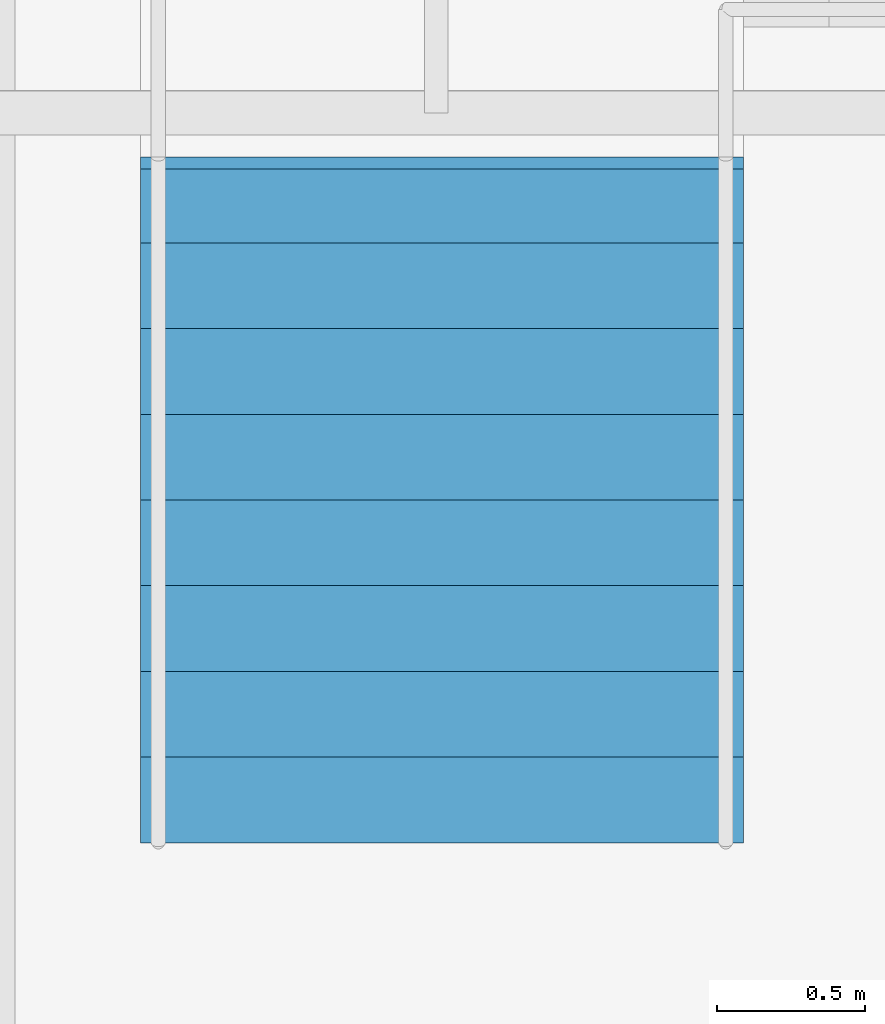
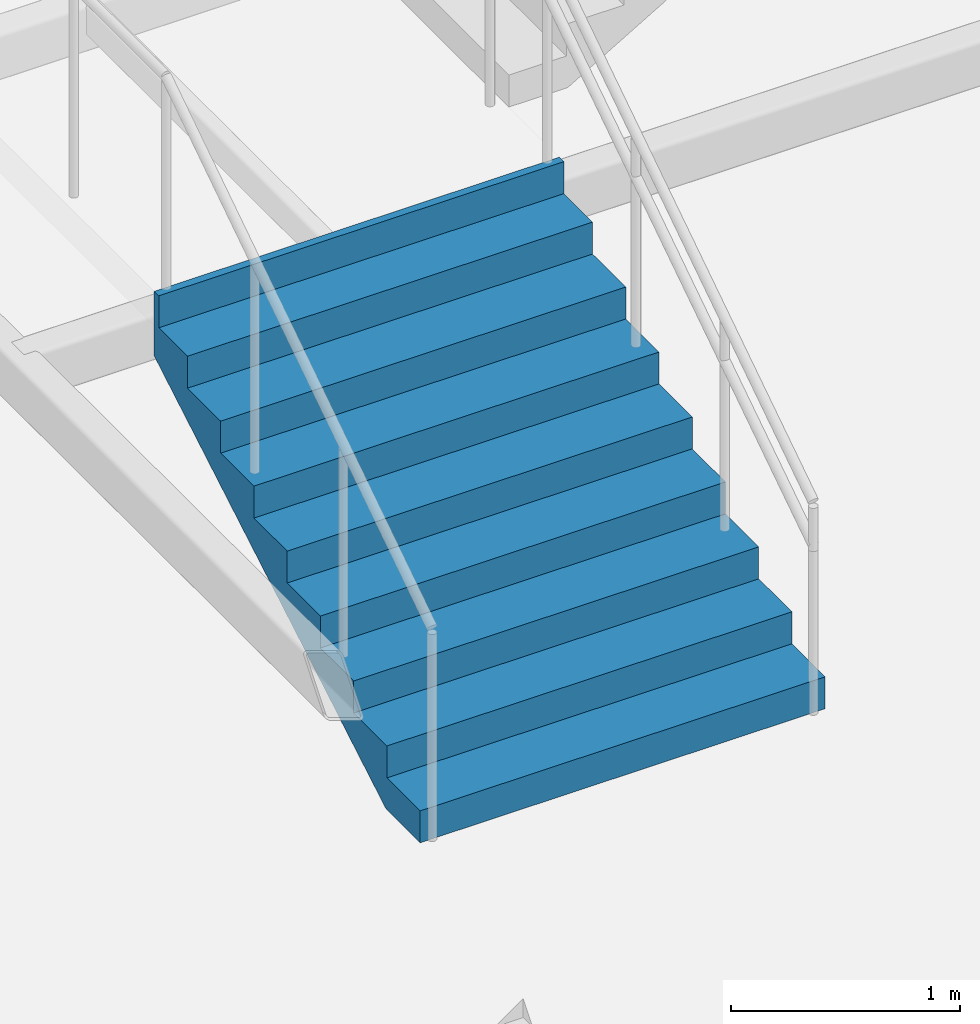
# One storey, part 61 of 69: 1 stair flight, 1 element without a shape of its own.
"""IFC4 building model written with IfcOpenShell, lengths in metres."""

from ifc_helpers import new_model, si_unit, direction, frame, origin, place, context, subcontext, project, spatial, triangles, material, type_object, element, aggregate, save


model = new_model("IFC4")

# Units and contexts
model_context = context("Model", 3, precision=1e-05, world=origin(), true_north=direction((0.0, 1.0)))
body_context = subcontext(model_context, "Body", "Model", "MODEL_VIEW")
ifc_project = project(units=[si_unit("LENGTHUNIT", "METRE"), si_unit("AREAUNIT", "SQUARE_METRE"), si_unit("VOLUMEUNIT", "CUBIC_METRE"), si_unit("PLANEANGLEUNIT", "RADIAN"), si_unit("MASSUNIT", "GRAM", prefix="KILO")], contexts=[model_context])

# Site, building, storey
site_placement = place(None, origin())
site = spatial("IfcSite", under=ifc_project, at=site_placement, CompositionType="ELEMENT")
building_placement = place(site_placement, origin())
building = spatial("IfcBuilding", under=site, at=building_placement, Name="Sillaruma Civic Art Gallery", CompositionType="ELEMENT")
storey_placement = place(building_placement, frame((0.0, 0.0, 42.330078125)))
storey = spatial("IfcBuildingStorey", under=building, at=storey_placement, Name="L08", CompositionType="ELEMENT", Elevation=42.330078125)

# Stair, stair flight
ifc_material = material(Name="Concrete H35 (35 MPa)", Category="concrete")
stair_type = type_object("IfcStairType", Name="STR-3F-27", PredefinedType="TWO_QUARTER_TURN_STAIR", material=ifc_material)
stair_placement = place(storey_placement, origin())
stair = element("IfcStair", 1, at=stair_placement, inside=storey, type_object=stair_type, Name="Monumental Gallery Feature Stair ST-G05 (L08)", PredefinedType="TWO_QUARTER_TURN_STAIR")
stair_flight_type = type_object("IfcStairFlightType", Name="SFL-STR-9", PredefinedType="STRAIGHT", material=ifc_material)
stair_flight_placement = place(storey_placement, frame((85.6201171875, 80.89990234375, 0.0), z_axis=(0.0, 0.0, 1.0), x_axis=(0.0, 1.0, 0.0)))
stair_flight = element("IfcStairFlight", 2, at=stair_flight_placement, type_object=stair_flight_type, Name="ST-G05 flight 1", NumberOfRisers=9, NumberOfTreads=8, PredefinedType="STRAIGHT", RiserHeight=0.17, TreadLength=0.29, context=body_context, shape_type="Tessellation", body=[
    triangles([(0.0, -1.02001953125, 0.0), (0.29, -1.02001953125, 0.0), (0.296482, -1.02001953125, 0.0), (0.58, -1.02001953125, 0.1662), (0.87, -1.02001953125, 0.3362), (1.16, -1.02001953125, 0.5062), (1.45, -1.02001953125, 0.6762), (1.74, -1.02001953125, 0.8462), (2.03, -1.02001953125, 1.0162), (2.280068, -1.02001953125, 1.162792), (2.320068, -1.02001953125, 1.18624), (2.320068, -1.02001953125, 1.53), (2.280068, -1.02001953125, 1.53), (2.280068, -1.02001953125, 1.36), (2.03, -1.02001953125, 1.36), (2.03, -1.02001953125, 1.19), (1.74, -1.02001953125, 1.19), (1.74, -1.02001953125, 1.02), (1.45, -1.02001953125, 1.02), (1.45, -1.02001953125, 0.85), (1.16, -1.02001953125, 0.85), (1.16, -1.02001953125, 0.68), (0.87, -1.02001953125, 0.68), (0.87, -1.02001953125, 0.51), (0.58, -1.02001953125, 0.51), (0.58, -1.02001953125, 0.34), (0.296482, -1.02001953125, 0.34), (0.29, -1.02001953125, 0.34), (0.29, -1.02001953125, 0.17), (0.0, -1.02001953125, 0.17), (0.0, -0.05, 0.0), (0.29, -0.05, 0.0), (0.296482, -0.05, 0.0), (0.58, -0.05, 0.1662), (0.87, -0.05, 0.3362), (1.16, -0.05, 0.5062), (1.45, -0.05, 0.6762), (1.74, -0.05, 0.8462), (2.03, -0.05, 1.0162), (2.280068, -0.05, 1.162792), (2.320068, -0.05, 1.18624), (2.320068, -0.05, 1.53), (2.280068, -0.05, 1.53), (2.280068, -0.05, 1.36), (2.03, -0.05, 1.36), (2.03, -0.05, 1.19), (1.74, -0.05, 1.19), (1.74, -0.05, 1.02), (1.45, -0.05, 1.02), (1.45, -0.05, 0.85), (1.16, -0.05, 0.85), (1.16, -0.05, 0.68), (0.87, -0.05, 0.68), (0.87, -0.05, 0.51), (0.58, -0.05, 0.51), (0.58, -0.05, 0.34), (0.296482, -0.05, 0.34), (0.29, -0.05, 0.34), (0.29, -0.05, 0.17), (0.0, -0.05, 0.17), (0.0, -0.0375, 0.0), (0.29, -0.0375, 0.0), (0.296482, -0.0375, 0.0), (0.58, -0.0375, 0.1662), (0.87, -0.0375, 0.3362), (1.16, -0.0375, 0.5062), (1.45, -0.0375, 0.6762), (1.74, -0.0375, 0.8462), (2.03, -0.0375, 1.0162), (2.280068, -0.0375, 1.162792), (2.320068, -0.0375, 1.18624), (2.320068, -0.0375, 1.53), (2.280068, -0.0375, 1.53), (2.280068, -0.0375, 1.36), (2.03, -0.0375, 1.36), (2.03, -0.0375, 1.19), (1.74, -0.0375, 1.19), (1.74, -0.0375, 1.02), (1.45, -0.0375, 1.02), (1.45, -0.0375, 0.85), (1.16, -0.0375, 0.85), (1.16, -0.0375, 0.68), (0.87, -0.0375, 0.68), (0.87, -0.0375, 0.51), (0.58, -0.0375, 0.51), (0.58, -0.0375, 0.34), (0.296482, -0.0375, 0.34), (0.29, -0.0375, 0.34), (0.29, -0.0375, 0.17), (0.0, -0.0375, 0.17), (0.0, -0.025, 0.0), (0.29, -0.025, 0.0), (0.296482, -0.025, 0.0), (0.58, -0.025, 0.1662), (0.87, -0.025, 0.3362), (1.16, -0.025, 0.5062), (1.45, -0.025, 0.6762), (1.74, -0.025, 0.8462), (2.03, -0.025, 1.0162), (2.280068, -0.025, 1.162792), (2.320068, -0.025, 1.18624), (2.320068, -0.025, 1.53), (2.280068, -0.025, 1.53), (2.280068, -0.025, 1.36), (2.03, -0.025, 1.36), (2.03, -0.025, 1.19), (1.74, -0.025, 1.19), (1.74, -0.025, 1.02), (1.45, -0.025, 1.02), (1.45, -0.025, 0.85), (1.16, -0.025, 0.85), (1.16, -0.025, 0.68), (0.87, -0.025, 0.68), (0.87, -0.025, 0.51), (0.58, -0.025, 0.51), (0.58, -0.025, 0.34), (0.296482, -0.025, 0.34), (0.29, -0.025, 0.34), (0.29, -0.025, 0.17), (0.0, -0.025, 0.17), (0.0, -0.0125, 0.0), (0.29, -0.0125, 0.0), (0.296482, -0.0125, 0.0), (0.58, -0.0125, 0.1662), (0.87, -0.0125, 0.3362), (1.16, -0.0125, 0.5062), (1.45, -0.0125, 0.6762), (1.74, -0.0125, 0.8462), (2.03, -0.0125, 1.0162), (2.280068, -0.0125, 1.162792), (2.320068, -0.0125, 1.18624), (2.320068, -0.0125, 1.53), (2.280068, -0.0125, 1.53), (2.280068, -0.0125, 1.36), (2.03, -0.0125, 1.36), (2.03, -0.0125, 1.19), (1.74, -0.0125, 1.19), (1.74, -0.0125, 1.02), (1.45, -0.0125, 1.02), (1.45, -0.0125, 0.85), (1.16, -0.0125, 0.85), (1.16, -0.0125, 0.68), (0.87, -0.0125, 0.68), (0.87, -0.0125, 0.51), (0.58, -0.0125, 0.51), (0.58, -0.0125, 0.34), (0.296482, -0.0125, 0.34), (0.29, -0.0125, 0.34), (0.29, -0.0125, 0.17), (0.0, -0.0125, 0.17), (0.0, 0.0, 0.0), (0.29, 0.0, 0.0), (0.296482, 0.0, 0.0), (0.58, 0.0, 0.1662), (0.87, 0.0, 0.3362), (1.16, 0.0, 0.5062), (1.45, 0.0, 0.6762), (1.74, 0.0, 0.8462), (2.03, 0.0, 1.0162), (2.280068, 0.0, 1.162792), (2.320068, 0.0, 1.18624), (2.320068, 0.0, 1.53), (2.280068, 0.0, 1.53), (2.280068, 0.0, 1.36), (2.03, 0.0, 1.36), (2.03, 0.0, 1.19), (1.74, 0.0, 1.19), (1.74, 0.0, 1.02), (1.45, 0.0, 1.02), (1.45, 0.0, 0.85), (1.16, 0.0, 0.85), (1.16, 0.0, 0.68), (0.87, 0.0, 0.68), (0.87, 0.0, 0.51), (0.58, 0.0, 0.51), (0.58, 0.0, 0.34), (0.296482, 0.0, 0.34), (0.29, 0.0, 0.34), (0.29, 0.0, 0.17), (0.0, 0.0, 0.17), (0.0, 0.0125, 0.0), (0.29, 0.0125, 0.0), (0.296482, 0.0125, 0.0), (0.58, 0.0125, 0.1662), (0.87, 0.0125, 0.3362), (1.16, 0.0125, 0.5062), (1.45, 0.0125, 0.6762), (1.74, 0.0125, 0.8462), (2.03, 0.0125, 1.0162), (2.280068, 0.0125, 1.162792), (2.320068, 0.0125, 1.18624), (2.320068, 0.0125, 1.53), (2.280068, 0.0125, 1.53), (2.280068, 0.0125, 1.36), (2.03, 0.0125, 1.36), (2.03, 0.0125, 1.19), (1.74, 0.0125, 1.19), (1.74, 0.0125, 1.02), (1.45, 0.0125, 1.02), (1.45, 0.0125, 0.85), (1.16, 0.0125, 0.85), (1.16, 0.0125, 0.68), (0.87, 0.0125, 0.68), (0.87, 0.0125, 0.51), (0.58, 0.0125, 0.51), (0.58, 0.0125, 0.34), (0.296482, 0.0125, 0.34), (0.29, 0.0125, 0.34), (0.29, 0.0125, 0.17), (0.0, 0.0125, 0.17), (0.0, 0.025, 0.0), (0.29, 0.025, 0.0), (0.296482, 0.025, 0.0), (0.58, 0.025, 0.1662), (0.87, 0.025, 0.3362), (1.16, 0.025, 0.5062), (1.45, 0.025, 0.6762), (1.74, 0.025, 0.8462), (2.03, 0.025, 1.0162), (2.280068, 0.025, 1.162792), (2.320068, 0.025, 1.18624), (2.320068, 0.025, 1.53), (2.280068, 0.025, 1.53), (2.280068, 0.025, 1.36), (2.03, 0.025, 1.36), (2.03, 0.025, 1.19), (1.74, 0.025, 1.19), (1.74, 0.025, 1.02), (1.45, 0.025, 1.02), (1.45, 0.025, 0.85), (1.16, 0.025, 0.85), (1.16, 0.025, 0.68), (0.87, 0.025, 0.68), (0.87, 0.025, 0.51), (0.58, 0.025, 0.51), (0.58, 0.025, 0.34), (0.296482, 0.025, 0.34), (0.29, 0.025, 0.34), (0.29, 0.025, 0.17), (0.0, 0.025, 0.17), (0.0, 0.0375, 0.0), (0.29, 0.0375, 0.0), (0.296482, 0.0375, 0.0), (0.58, 0.0375, 0.1662), (0.87, 0.0375, 0.3362), (1.16, 0.0375, 0.5062), (1.45, 0.0375, 0.6762), (1.74, 0.0375, 0.8462), (2.03, 0.0375, 1.0162), (2.280068, 0.0375, 1.162792), (2.320068, 0.0375, 1.18624), (2.320068, 0.0375, 1.53), (2.280068, 0.0375, 1.53), (2.280068, 0.0375, 1.36), (2.03, 0.0375, 1.36), (2.03, 0.0375, 1.19), (1.74, 0.0375, 1.19), (1.74, 0.0375, 1.02), (1.45, 0.0375, 1.02), (1.45, 0.0375, 0.85), (1.16, 0.0375, 0.85), (1.16, 0.0375, 0.68), (0.87, 0.0375, 0.68), (0.87, 0.0375, 0.51), (0.58, 0.0375, 0.51), (0.58, 0.0375, 0.34), (0.296482, 0.0375, 0.34), (0.29, 0.0375, 0.34), (0.29, 0.0375, 0.17), (0.0, 0.0375, 0.17), (0.0, 0.05, 0.0), (0.29, 0.05, 0.0), (0.296482, 0.05, 0.0), (0.58, 0.05, 0.1662), (0.87, 0.05, 0.3362), (1.16, 0.05, 0.5062), (1.45, 0.05, 0.6762), (1.74, 0.05, 0.8462), (2.03, 0.05, 1.0162), (2.280068, 0.05, 1.162792), (2.320068, 0.05, 1.18624), (2.320068, 0.05, 1.53), (2.280068, 0.05, 1.53), (2.280068, 0.05, 1.36), (2.03, 0.05, 1.36), (2.03, 0.05, 1.19), (1.74, 0.05, 1.19), (1.74, 0.05, 1.02), (1.45, 0.05, 1.02), (1.45, 0.05, 0.85), (1.16, 0.05, 0.85), (1.16, 0.05, 0.68), (0.87, 0.05, 0.68), (0.87, 0.05, 0.51), (0.58, 0.05, 0.51), (0.58, 0.05, 0.34), (0.296482, 0.05, 0.34), (0.29, 0.05, 0.34), (0.29, 0.05, 0.17), (0.0, 0.05, 0.17), (0.0, 1.02001953125, 0.0), (0.29, 1.02001953125, 0.0), (0.296482, 1.02001953125, 0.0), (0.58, 1.02001953125, 0.1662), (0.87, 1.02001953125, 0.3362), (1.16, 1.02001953125, 0.5062), (1.45, 1.02001953125, 0.6762), (1.74, 1.02001953125, 0.8462), (2.03, 1.02001953125, 1.0162), (2.280068, 1.02001953125, 1.162792), (2.320068, 1.02001953125, 1.18624), (2.320068, 1.02001953125, 1.53), (2.280068, 1.02001953125, 1.53), (2.280068, 1.02001953125, 1.36), (2.03, 1.02001953125, 1.36), (2.03, 1.02001953125, 1.19), (1.74, 1.02001953125, 1.19), (1.74, 1.02001953125, 1.02), (1.45, 1.02001953125, 1.02), (1.45, 1.02001953125, 0.85), (1.16, 1.02001953125, 0.85), (1.16, 1.02001953125, 0.68), (0.87, 1.02001953125, 0.68), (0.87, 1.02001953125, 0.51), (0.58, 1.02001953125, 0.51), (0.58, 1.02001953125, 0.34), (0.296482, 1.02001953125, 0.34), (0.29, 1.02001953125, 0.34), (0.29, 1.02001953125, 0.17), (0.0, 1.02001953125, 0.17)], [[1, 2, 29], [1, 29, 30], [2, 3, 27], [2, 27, 29], [29, 27, 28], [3, 4, 26], [3, 26, 27], [4, 5, 24], [4, 24, 26], [26, 24, 25], [5, 6, 22], [5, 22, 24], [24, 22, 23], [6, 7, 20], [6, 20, 22], [22, 20, 21], [7, 8, 18], [7, 18, 20], [20, 18, 19], [8, 9, 16], [8, 16, 18], [18, 16, 17], [9, 10, 14], [9, 14, 16], [16, 14, 15], [10, 11, 12], [10, 12, 14], [14, 12, 13], [329, 302, 301], [330, 329, 301], [327, 303, 302], [329, 327, 302], [328, 327, 329], [326, 304, 303], [327, 326, 303], [324, 305, 304], [326, 324, 304], [325, 324, 326], [322, 306, 305], [324, 322, 305], [323, 322, 324], [320, 307, 306], [322, 320, 306], [321, 320, 322], [318, 308, 307], [320, 318, 307], [319, 318, 320], [316, 309, 308], [318, 316, 308], [317, 316, 318], [314, 310, 309], [316, 314, 309], [315, 314, 316], [312, 311, 310], [314, 312, 310], [313, 312, 314], [2, 1, 31], [2, 31, 32], [3, 2, 32], [3, 32, 33], [4, 3, 33], [4, 33, 34], [5, 4, 34], [5, 34, 35], [6, 5, 35], [6, 35, 36], [7, 6, 36], [7, 36, 37], [8, 7, 37], [8, 37, 38], [9, 8, 38], [9, 38, 39], [10, 9, 39], [10, 39, 40], [11, 10, 40], [11, 40, 41], [12, 11, 41], [12, 41, 42], [13, 12, 42], [13, 42, 43], [14, 13, 43], [14, 43, 44], [15, 14, 44], [15, 44, 45], [16, 15, 45], [16, 45, 46], [17, 16, 46], [17, 46, 47], [18, 17, 47], [18, 47, 48], [19, 18, 48], [19, 48, 49], [20, 19, 49], [20, 49, 50], [21, 20, 50], [21, 50, 51], [22, 21, 51], [22, 51, 52], [23, 22, 52], [23, 52, 53], [24, 23, 53], [24, 53, 54], [25, 24, 54], [25, 54, 55], [26, 25, 55], [26, 55, 56], [27, 26, 56], [27, 56, 57], [28, 27, 57], [28, 57, 58], [29, 28, 58], [29, 58, 59], [30, 29, 59], [30, 59, 60], [1, 30, 60], [1, 60, 31], [32, 31, 61], [32, 61, 62], [33, 32, 62], [33, 62, 63], [34, 33, 63], [34, 63, 64], [35, 34, 64], [35, 64, 65], [36, 35, 65], [36, 65, 66], [37, 36, 66], [37, 66, 67], [38, 37, 67], [38, 67, 68], [39, 38, 68], [39, 68, 69], [40, 39, 69], [40, 69, 70], [41, 40, 70], [41, 70, 71], [42, 41, 71], [42, 71, 72], [43, 42, 72], [43, 72, 73], [44, 43, 73], [44, 73, 74], [45, 44, 74], [45, 74, 75], [46, 45, 75], [46, 75, 76], [47, 46, 76], [47, 76, 77], [48, 47, 77], [48, 77, 78], [49, 48, 78], [49, 78, 79], [50, 49, 79], [50, 79, 80], [51, 50, 80], [51, 80, 81], [52, 51, 81], [52, 81, 82], [53, 52, 82], [53, 82, 83], [54, 53, 83], [54, 83, 84], [55, 54, 84], [55, 84, 85], [56, 55, 85], [56, 85, 86], [57, 56, 86], [57, 86, 87], [58, 57, 87], [58, 87, 88], [59, 58, 88], [59, 88, 89], [60, 59, 89], [60, 89, 90], [31, 60, 90], [31, 90, 61], [62, 61, 91], [62, 91, 92], [63, 62, 92], [63, 92, 93], [64, 63, 93], [64, 93, 94], [65, 64, 94], [65, 94, 95], [66, 65, 95], [66, 95, 96], [67, 66, 96], [67, 96, 97], [68, 67, 97], [68, 97, 98], [69, 68, 98], [69, 98, 99], [70, 69, 99], [70, 99, 100], [71, 70, 100], [71, 100, 101], [72, 71, 101], [72, 101, 102], [73, 72, 102], [73, 102, 103], [74, 73, 103], [74, 103, 104], [75, 74, 104], [75, 104, 105], [76, 75, 105], [76, 105, 106], [77, 76, 106], [77, 106, 107], [78, 77, 107], [78, 107, 108], [79, 78, 108], [79, 108, 109], [80, 79, 109], [80, 109, 110], [81, 80, 110], [81, 110, 111], [82, 81, 111], [82, 111, 112], [83, 82, 112], [83, 112, 113], [84, 83, 113], [84, 113, 114], [85, 84, 114], [85, 114, 115], [86, 85, 115], [86, 115, 116], [87, 86, 116], [87, 116, 117], [88, 87, 117], [88, 117, 118], [89, 88, 118], [89, 118, 119], [90, 89, 119], [90, 119, 120], [61, 90, 120], [61, 120, 91], [92, 91, 121], [92, 121, 122], [93, 92, 122], [93, 122, 123], [94, 93, 123], [94, 123, 124], [95, 94, 124], [95, 124, 125], [96, 95, 125], [96, 125, 126], [97, 96, 126], [97, 126, 127], [98, 97, 127], [98, 127, 128], [99, 98, 128], [99, 128, 129], [100, 99, 129], [100, 129, 130], [101, 100, 130], [101, 130, 131], [102, 101, 131], [102, 131, 132], [103, 102, 132], [103, 132, 133], [104, 103, 133], [104, 133, 134], [105, 104, 134], [105, 134, 135], [106, 105, 135], [106, 135, 136], [107, 106, 136], [107, 136, 137], [108, 107, 137], [108, 137, 138], [109, 108, 138], [109, 138, 139], [110, 109, 139], [110, 139, 140], [111, 110, 140], [111, 140, 141], [112, 111, 141], [112, 141, 142], [113, 112, 142], [113, 142, 143], [114, 113, 143], [114, 143, 144], [115, 114, 144], [115, 144, 145], [116, 115, 145], [116, 145, 146], [117, 116, 146], [117, 146, 147], [118, 117, 147], [118, 147, 148], [119, 118, 148], [119, 148, 149], [120, 119, 149], [120, 149, 150], [91, 120, 150], [91, 150, 121], [122, 121, 151], [122, 151, 152], [123, 122, 152], [123, 152, 153], [124, 123, 153], [124, 153, 154], [125, 124, 154], [125, 154, 155], [126, 125, 155], [126, 155, 156], [127, 126, 156], [127, 156, 157], [128, 127, 157], [128, 157, 158], [129, 128, 158], [129, 158, 159], [130, 129, 159], [130, 159, 160], [131, 130, 160], [131, 160, 161], [132, 131, 161], [132, 161, 162], [133, 132, 162], [133, 162, 163], [134, 133, 163], [134, 163, 164], [135, 134, 164], [135, 164, 165], [136, 135, 165], [136, 165, 166], [137, 136, 166], [137, 166, 167], [138, 137, 167], [138, 167, 168], [139, 138, 168], [139, 168, 169], [140, 139, 169], [140, 169, 170], [141, 140, 170], [141, 170, 171], [142, 141, 171], [142, 171, 172], [143, 142, 172], [143, 172, 173], [144, 143, 173], [144, 173, 174], [145, 144, 174], [145, 174, 175], [146, 145, 175], [146, 175, 176], [147, 146, 176], [147, 176, 177], [148, 147, 177], [148, 177, 178], [149, 148, 178], [149, 178, 179], [150, 149, 179], [150, 179, 180], [121, 150, 180], [121, 180, 151], [152, 151, 181], [152, 181, 182], [153, 152, 182], [153, 182, 183], [154, 153, 183], [154, 183, 184], [155, 154, 184], [155, 184, 185], [156, 155, 185], [156, 185, 186], [157, 156, 186], [157, 186, 187], [158, 157, 187], [158, 187, 188], [159, 158, 188], [159, 188, 189], [160, 159, 189], [160, 189, 190], [161, 160, 190], [161, 190, 191], [162, 161, 191], [162, 191, 192], [163, 162, 192], [163, 192, 193], [164, 163, 193], [164, 193, 194], [165, 164, 194], [165, 194, 195], [166, 165, 195], [166, 195, 196], [167, 166, 196], [167, 196, 197], [168, 167, 197], [168, 197, 198], [169, 168, 198], [169, 198, 199], [170, 169, 199], [170, 199, 200], [171, 170, 200], [171, 200, 201], [172, 171, 201], [172, 201, 202], [173, 172, 202], [173, 202, 203], [174, 173, 203], [174, 203, 204], [175, 174, 204], [175, 204, 205], [176, 175, 205], [176, 205, 206], [177, 176, 206], [177, 206, 207], [178, 177, 207], [178, 207, 208], [179, 178, 208], [179, 208, 209], [180, 179, 209], [180, 209, 210], [151, 180, 210], [151, 210, 181], [182, 181, 211], [182, 211, 212], [183, 182, 212], [183, 212, 213], [184, 183, 213], [184, 213, 214], [185, 184, 214], [185, 214, 215], [186, 185, 215], [186, 215, 216], [187, 186, 216], [187, 216, 217], [188, 187, 217], [188, 217, 218], [189, 188, 218], [189, 218, 219], [190, 189, 219], [190, 219, 220], [191, 190, 220], [191, 220, 221], [192, 191, 221], [192, 221, 222], [193, 192, 222], [193, 222, 223], [194, 193, 223], [194, 223, 224], [195, 194, 224], [195, 224, 225], [196, 195, 225], [196, 225, 226], [197, 196, 226], [197, 226, 227], [198, 197, 227], [198, 227, 228], [199, 198, 228], [199, 228, 229], [200, 199, 229], [200, 229, 230], [201, 200, 230], [201, 230, 231], [202, 201, 231], [202, 231, 232], [203, 202, 232], [203, 232, 233], [204, 203, 233], [204, 233, 234], [205, 204, 234], [205, 234, 235], [206, 205, 235], [206, 235, 236], [207, 206, 236], [207, 236, 237], [208, 207, 237], [208, 237, 238], [209, 208, 238], [209, 238, 239], [210, 209, 239], [210, 239, 240], [181, 210, 240], [181, 240, 211], [212, 211, 241], [212, 241, 242], [213, 212, 242], [213, 242, 243], [214, 213, 243], [214, 243, 244], [215, 214, 244], [215, 244, 245], [216, 215, 245], [216, 245, 246], [217, 216, 246], [217, 246, 247], [218, 217, 247], [218, 247, 248], [219, 218, 248], [219, 248, 249], [220, 219, 249], [220, 249, 250], [221, 220, 250], [221, 250, 251], [222, 221, 251], [222, 251, 252], [223, 222, 252], [223, 252, 253], [224, 223, 253], [224, 253, 254], [225, 224, 254], [225, 254, 255], [226, 225, 255], [226, 255, 256], [227, 226, 256], [227, 256, 257], [228, 227, 257], [228, 257, 258], [229, 228, 258], [229, 258, 259], [230, 229, 259], [230, 259, 260], [231, 230, 260], [231, 260, 261], [232, 231, 261], [232, 261, 262], [233, 232, 262], [233, 262, 263], [234, 233, 263], [234, 263, 264], [235, 234, 264], [235, 264, 265], [236, 235, 265], [236, 265, 266], [237, 236, 266], [237, 266, 267], [238, 237, 267], [238, 267, 268], [239, 238, 268], [239, 268, 269], [240, 239, 269], [240, 269, 270], [211, 240, 270], [211, 270, 241], [242, 241, 271], [242, 271, 272], [243, 242, 272], [243, 272, 273], [244, 243, 273], [244, 273, 274], [245, 244, 274], [245, 274, 275], [246, 245, 275], [246, 275, 276], [247, 246, 276], [247, 276, 277], [248, 247, 277], [248, 277, 278], [249, 248, 278], [249, 278, 279], [250, 249, 279], [250, 279, 280], [251, 250, 280], [251, 280, 281], [252, 251, 281], [252, 281, 282], [253, 252, 282], [253, 282, 283], [254, 253, 283], [254, 283, 284], [255, 254, 284], [255, 284, 285], [256, 255, 285], [256, 285, 286], [257, 256, 286], [257, 286, 287], [258, 257, 287], [258, 287, 288], [259, 258, 288], [259, 288, 289], [260, 259, 289], [260, 289, 290], [261, 260, 290], [261, 290, 291], [262, 261, 291], [262, 291, 292], [263, 262, 292], [263, 292, 293], [264, 263, 293], [264, 293, 294], [265, 264, 294], [265, 294, 295], [266, 265, 295], [266, 295, 296], [267, 266, 296], [267, 296, 297], [268, 267, 297], [268, 297, 298], [269, 268, 298], [269, 298, 299], [270, 269, 299], [270, 299, 300], [241, 270, 300], [241, 300, 271], [272, 271, 301], [272, 301, 302], [273, 272, 302], [273, 302, 303], [274, 273, 303], [274, 303, 304], [275, 274, 304], [275, 304, 305], [276, 275, 305], [276, 305, 306], [277, 276, 306], [277, 306, 307], [278, 277, 307], [278, 307, 308], [279, 278, 308], [279, 308, 309], [280, 279, 309], [280, 309, 310], [281, 280, 310], [281, 310, 311], [282, 281, 311], [282, 311, 312], [283, 282, 312], [283, 312, 313], [284, 283, 313], [284, 313, 314], [285, 284, 314], [285, 314, 315], [286, 285, 315], [286, 315, 316], [287, 286, 316], [287, 316, 317], [288, 287, 317], [288, 317, 318], [289, 288, 318], [289, 318, 319], [290, 289, 319], [290, 319, 320], [291, 290, 320], [291, 320, 321], [292, 291, 321], [292, 321, 322], [293, 292, 322], [293, 322, 323], [294, 293, 323], [294, 323, 324], [295, 294, 324], [295, 324, 325], [296, 295, 325], [296, 325, 326], [297, 296, 326], [297, 326, 327], [298, 297, 327], [298, 327, 328], [299, 298, 328], [299, 328, 329], [300, 299, 329], [300, 329, 330], [271, 300, 330], [271, 330, 301]], closed=True),
])
aggregate(stair, [stair_flight])

save(model, "model.ifc")
